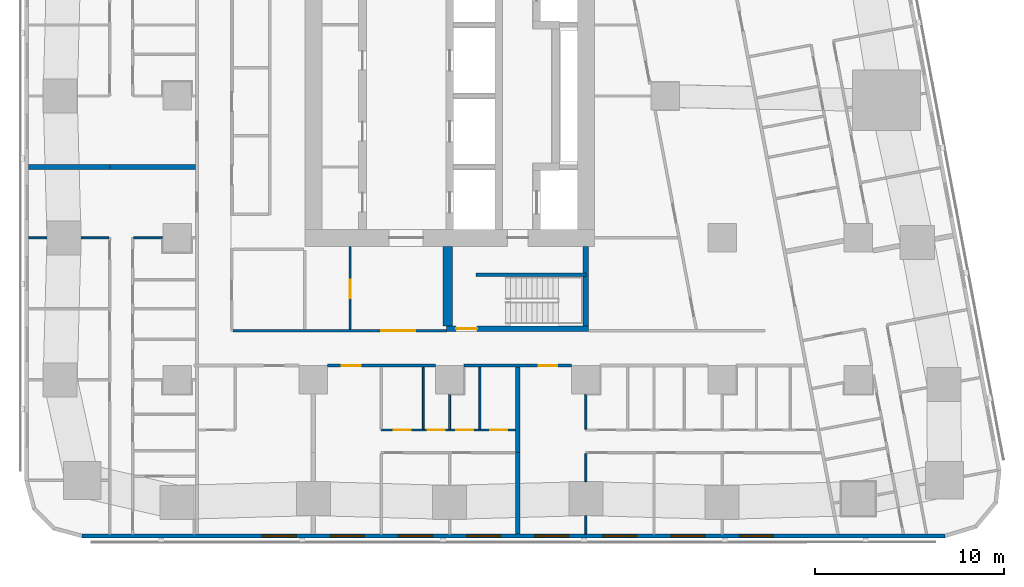
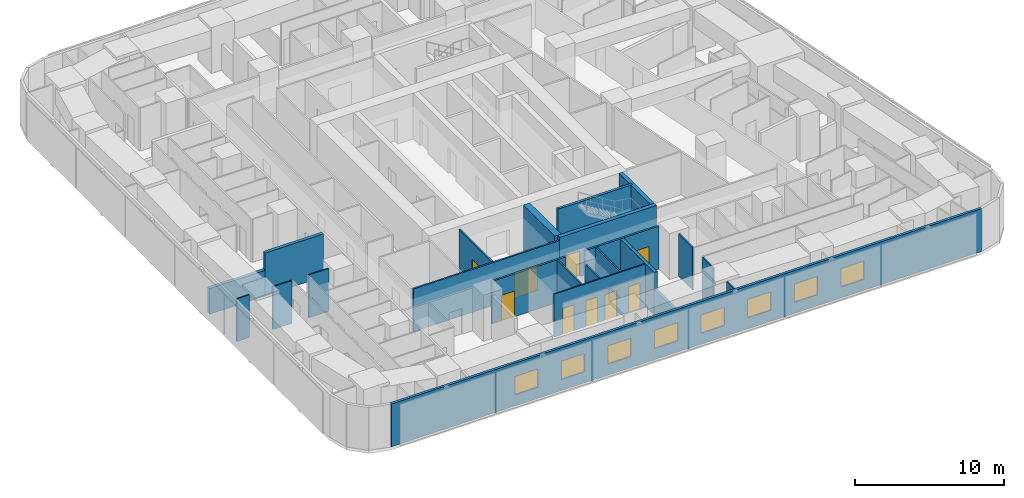
# One storey, part 3 of 15: 23 walls, 9 doors, 8 windows, 17 openings.
"""IFC4 building model written with IfcOpenShell, lengths in metres."""

from ifc_helpers import new_model, si_unit, direction, frame, frame_2d, origin, place, context, subcontext, project, spatial, rectangle, extrude, material, layer, layer_set, type_object, element, fill, save


model = new_model("IFC4")

# Units and contexts
model_context = context("Model", 3, precision=1e-05, world=origin(), true_north=direction((0.0, 1.0)))
body_context = subcontext(model_context, "Body", "Model", "MODEL_VIEW")
ifc_project = project(units=[si_unit("LENGTHUNIT", "METRE"), si_unit("AREAUNIT", "SQUARE_METRE"), si_unit("VOLUMEUNIT", "CUBIC_METRE"), si_unit("PLANEANGLEUNIT", "RADIAN"), si_unit("MASSUNIT", "GRAM", prefix="KILO")], contexts=[model_context])

# Site, building, storey
site_placement = place(None, origin())
site = spatial("IfcSite", under=ifc_project, at=site_placement, CompositionType="ELEMENT")
building_placement = place(site_placement, origin())
building = spatial("IfcBuilding", under=site, at=building_placement, Name="Sheger Commons Tower", CompositionType="ELEMENT")
storey_placement = place(building_placement, frame((0.0, 0.0, 150.800048828125)))
storey = spatial("IfcBuildingStorey", under=building, at=storey_placement, Name="L38", CompositionType="ELEMENT", Elevation=150.800048828125)

# Wall, opening, door
ifc_material_1 = material(Name="Hollow concrete block masonry, skimmed both sides", Category="masonry")
ifc_layer_1 = layer(ifc_material_1, 0.14990234375)
ifc_layer_set_1 = layer_set([ifc_layer_1], Name="CORRIDOR WALL 150")
wall_type_1 = type_object("IfcWallType", Name="CORRIDOR WALL 150", PredefinedType="SOLIDWALL", material=ifc_layer_set_1)
wall_1_placement = place(storey_placement, frame((28.049072265625, 8.25, 0.0), z_axis=(0.0, 0.0, 1.0), x_axis=(-1.0, 0.0, 0.0)))
wall_1 = element("IfcWall", 1, at=wall_1_placement, inside=storey, type_object=wall_type_1, Name="Corridor wall L38", PredefinedType="SOLIDWALL", context=body_context, shape_type="SweptSolid", body=[
    extrude(rectangle(XDim=5.697998046875, YDim=0.14990234375, at=frame_2d((2.84912109375, 0.0))), origin(), (0.0, 0.0, 1.0), 3.5),
])
opening_1_placement = place(wall_1_placement, frame((0.7490234375, 0.0, 0.0)))
opening_1 = element("IfcOpeningElement", 2, at=opening_1_placement, cuts=wall_1, Name="Opening D1", PredefinedType="OPENING", context=body_context, shape_type="SweptSolid", body=[
    extrude(rectangle(XDim=1.0, YDim=2.10009765625, at=frame_2d((0.5, 1.050048828125))), frame((0.0, 0.0849609375, 0.0), z_axis=(0.0, -1.0, 0.0), x_axis=(1.0, 0.0, 0.0)), (0.0, 0.0, 1.0), 0.169921875),
])
ifc_material_2 = material(Name="Steel door set, fire rated", Category="steel")
door_type_1 = type_object("IfcDoorType", Name="FLAT ENTRANCE DOOR 1000x2100", OperationType="NOTDEFINED", PredefinedType="DOOR", material=ifc_material_2)
door_1_placement = place(opening_1_placement, origin())
door_1 = element("IfcDoor", 3, at=door_1_placement, inside=storey, type_object=door_type_1, Name="Flat entrance door", OperationType="SINGLE_SWING_LEFT", OverallHeight=2.10009765625, OverallWidth=1.0, PredefinedType="DOOR", context=body_context, shape_type="SweptSolid", body=[
    extrude(rectangle(XDim=1.0, YDim=2.10009765625, at=frame_2d((0.5, 1.050048828125))), frame((0.0, 0.02490234375, 0.0), z_axis=(0.0, -1.0, 0.0), x_axis=(1.0, 0.0, 0.0)), (0.0, 0.0, 1.0), 0.050048828125),
])
fill(opening_1, door_1)

wall_2_placement = place(storey_placement, frame((20.84912109375, 8.25, 0.0), z_axis=(0.0, 0.0, 1.0), x_axis=(-1.0, 0.0, 0.0)))
wall_2 = element("IfcWall", 4, at=wall_2_placement, inside=storey, type_object=wall_type_1, Name="Corridor wall L38", PredefinedType="SOLIDWALL", context=body_context, shape_type="SweptSolid", body=[
    extrude(rectangle(XDim=5.6982421875, YDim=0.14990234375, at=frame_2d((2.84912109375, 0.0))), origin(), (0.0, 0.0, 1.0), 3.5),
])
opening_2_placement = place(wall_2_placement, frame((3.948974609375, 0.0, 0.0)))
opening_2 = element("IfcOpeningElement", 5, at=opening_2_placement, cuts=wall_2, Name="Opening D1", PredefinedType="OPENING", context=body_context, shape_type="SweptSolid", body=[
    extrude(rectangle(XDim=1.0, YDim=2.10009765625, at=frame_2d((0.5, 1.050048828125))), frame((0.0, 0.0849609375, 0.0), z_axis=(0.0, -1.0, 0.0), x_axis=(1.0, 0.0, 0.0)), (0.0, 0.0, 1.0), 0.169921875),
])
door_2_placement = place(opening_2_placement, origin())
door_2 = element("IfcDoor", 6, at=door_2_placement, inside=storey, type_object=door_type_1, Name="Flat entrance door", OperationType="SINGLE_SWING_RIGHT", OverallHeight=2.10009765625, OverallWidth=1.0, PredefinedType="DOOR", context=body_context, shape_type="SweptSolid", body=[
    extrude(rectangle(XDim=1.0, YDim=2.10009765625, at=frame_2d((0.5, 1.050048828125))), frame((0.0, 0.02490234375, 0.0), z_axis=(0.0, -1.0, 0.0), x_axis=(1.0, 0.0, 0.0)), (0.0, 0.0, 1.0), 0.050048828125),
])
fill(opening_2, door_2)

# Walls
ifc_material_3 = material(Name="Dense concrete block masonry, plastered both sides (separating wall between flats)", Category="masonry")
ifc_layer_2 = layer(ifc_material_3, 0.25)
ifc_layer_set_2 = layer_set([ifc_layer_2], Name="DEMISING WALL 250")
wall_type_2 = type_object("IfcWallType", Name="DEMISING WALL 250", PredefinedType="SOLIDWALL", material=ifc_layer_set_2)
wall_3_placement = place(storey_placement, frame((-0.64990234375, 18.75, 0.0), z_axis=(0.0, 0.0, 1.0), x_axis=(1.0, 0.0, 0.0)))
element("IfcWall", 7, at=wall_3_placement, inside=storey, type_object=wall_type_2, Name="Demising wall L38", PredefinedType="SOLIDWALL", context=body_context, shape_type="SweptSolid", body=[
    extrude(rectangle(XDim=4.2998046875, YDim=0.25, at=frame_2d((2.14990234375, 0.0))), origin(), (0.0, 0.0, 1.0), 2.099853515625),
])
wall_4_placement = place(storey_placement, frame((3.64990234375, 18.75, 0.0), z_axis=(0.0, 0.0, 1.0), x_axis=(1.0, 0.0, 0.0)))
element("IfcWall", 8, at=wall_4_placement, inside=storey, type_object=wall_type_2, Name="Demising wall L38", PredefinedType="SOLIDWALL", context=body_context, shape_type="SweptSolid", body=[
    extrude(rectangle(XDim=4.525146484375, YDim=0.25, at=frame_2d((2.2626953125, 0.0))), origin(), (0.0, 0.0, 1.0), 3.5),
])
wall_5_placement = place(storey_placement, frame((25.199951171875, -0.64990234375, 0.0), z_axis=(0.0, 0.0, 1.0), x_axis=(0.0, 1.0, 0.0)))
element("IfcWall", 9, at=wall_5_placement, inside=storey, type_object=wall_type_2, Name="Demising wall L38", PredefinedType="SOLIDWALL", context=body_context, shape_type="SweptSolid", body=[
    extrude(rectangle(XDim=4.2998046875, YDim=0.25, at=frame_2d((2.14990234375, 0.0))), origin(), (0.0, 0.0, 1.0), 2.099853515625),
])
wall_6_placement = place(storey_placement, frame((25.199951171875, 3.64990234375, 0.0), z_axis=(0.0, 0.0, 1.0), x_axis=(0.0, 1.0, 0.0)))
element("IfcWall", 10, at=wall_6_placement, inside=storey, type_object=wall_type_2, Name="Demising wall L38", PredefinedType="SOLIDWALL", context=body_context, shape_type="SweptSolid", body=[
    extrude(rectangle(XDim=4.525146484375, YDim=0.25, at=frame_2d((2.2626953125, 0.0))), origin(), (0.0, 0.0, 1.0), 3.5),
])

# Wall, openings, windows
ifc_material_4 = material(Name="Rendered concrete block masonry, dark grey", Category="masonry")
ifc_layer_3 = layer(ifc_material_4, 0.199951171875)
ifc_layer_set_3 = layer_set([ifc_layer_3], Name="FACADE WALL 200")
wall_type_3 = type_object("IfcWallType", Name="FACADE WALL 200", PredefinedType="SOLIDWALL", material=ifc_layer_set_3)
wall_7_placement = place(storey_placement, frame((2.1630859375, -0.75, 0.0), z_axis=(0.0, 0.0, 1.0), x_axis=(1.0, 0.0, 0.0)))
wall_7 = element("IfcWall", 11, at=wall_7_placement, inside=storey, type_object=wall_type_3, Name="Facade wall L38", PredefinedType="SOLIDWALL", context=body_context, shape_type="SweptSolid", body=[
    extrude(rectangle(XDim=45.6279296875, YDim=0.199951171875, at=frame_2d((22.81396484375, 0.0))), origin(), (0.0, 0.0, 1.0), 3.5),
])
opening_3_placement = place(wall_7_placement, frame((9.537109375, 0.0, 0.89990234375)))
opening_3 = element("IfcOpeningElement", 12, at=opening_3_placement, cuts=wall_7, Name="Opening W2", PredefinedType="OPENING", context=body_context, shape_type="SweptSolid", body=[
    extrude(rectangle(XDim=1.800048828125, YDim=1.5, at=frame_2d((0.89990234375, 0.75))), frame((0.0, 0.10986328125, 0.0), z_axis=(0.0, -1.0, 0.0), x_axis=(1.0, 0.0, 0.0)), (0.0, 0.0, 1.0), 0.219970703125),
])
opening_4_placement = place(wall_7_placement, frame((13.136962890625, 0.0, 0.89990234375)))
opening_4 = element("IfcOpeningElement", 13, at=opening_4_placement, cuts=wall_7, Name="Opening W2", PredefinedType="OPENING", context=body_context, shape_type="SweptSolid", body=[
    extrude(rectangle(XDim=1.800048828125, YDim=1.5, at=frame_2d((0.89990234375, 0.75))), frame((0.0, 0.10986328125, 0.0), z_axis=(0.0, -1.0, 0.0), x_axis=(1.0, 0.0, 0.0)), (0.0, 0.0, 1.0), 0.219970703125),
])
opening_5_placement = place(wall_7_placement, frame((16.737060546875, 0.0, 0.89990234375)))
opening_5 = element("IfcOpeningElement", 14, at=opening_5_placement, cuts=wall_7, Name="Opening W2", PredefinedType="OPENING", context=body_context, shape_type="SweptSolid", body=[
    extrude(rectangle(XDim=1.800048828125, YDim=1.5, at=frame_2d((0.89990234375, 0.75))), frame((0.0, 0.10986328125, 0.0), z_axis=(0.0, -1.0, 0.0), x_axis=(1.0, 0.0, 0.0)), (0.0, 0.0, 1.0), 0.219970703125),
])
opening_6_placement = place(wall_7_placement, frame((20.3369140625, 0.0, 0.89990234375)))
opening_6 = element("IfcOpeningElement", 15, at=opening_6_placement, cuts=wall_7, Name="Opening W2", PredefinedType="OPENING", context=body_context, shape_type="SweptSolid", body=[
    extrude(rectangle(XDim=1.800048828125, YDim=1.5, at=frame_2d((0.89990234375, 0.75))), frame((0.0, 0.10986328125, 0.0), z_axis=(0.0, -1.0, 0.0), x_axis=(1.0, 0.0, 0.0)), (0.0, 0.0, 1.0), 0.219970703125),
])
opening_7_placement = place(wall_7_placement, frame((23.93701171875, 0.0, 0.89990234375)))
opening_7 = element("IfcOpeningElement", 16, at=opening_7_placement, cuts=wall_7, Name="Opening W2", PredefinedType="OPENING", context=body_context, shape_type="SweptSolid", body=[
    extrude(rectangle(XDim=1.800048828125, YDim=1.5, at=frame_2d((0.89990234375, 0.75))), frame((0.0, 0.10986328125, 0.0), z_axis=(0.0, -1.0, 0.0), x_axis=(1.0, 0.0, 0.0)), (0.0, 0.0, 1.0), 0.219970703125),
])
opening_8_placement = place(wall_7_placement, frame((27.537109375, 0.0, 0.89990234375)))
opening_8 = element("IfcOpeningElement", 17, at=opening_8_placement, cuts=wall_7, Name="Opening W2", PredefinedType="OPENING", context=body_context, shape_type="SweptSolid", body=[
    extrude(rectangle(XDim=1.800048828125, YDim=1.5, at=frame_2d((0.89990234375, 0.75))), frame((0.0, 0.10986328125, 0.0), z_axis=(0.0, -1.0, 0.0), x_axis=(1.0, 0.0, 0.0)), (0.0, 0.0, 1.0), 0.219970703125),
])
opening_9_placement = place(wall_7_placement, frame((31.136962890625, 0.0, 0.89990234375)))
opening_9 = element("IfcOpeningElement", 18, at=opening_9_placement, cuts=wall_7, Name="Opening W2", PredefinedType="OPENING", context=body_context, shape_type="SweptSolid", body=[
    extrude(rectangle(XDim=1.800048828125, YDim=1.5, at=frame_2d((0.89990234375, 0.75))), frame((0.0, 0.10986328125, 0.0), z_axis=(0.0, -1.0, 0.0), x_axis=(1.0, 0.0, 0.0)), (0.0, 0.0, 1.0), 0.219970703125),
])
opening_10_placement = place(wall_7_placement, frame((34.737060546875, 0.0, 0.89990234375)))
opening_10 = element("IfcOpeningElement", 19, at=opening_10_placement, cuts=wall_7, Name="Opening W2", PredefinedType="OPENING", context=body_context, shape_type="SweptSolid", body=[
    extrude(rectangle(XDim=1.800048828125, YDim=1.5, at=frame_2d((0.89990234375, 0.75))), frame((0.0, 0.10986328125, 0.0), z_axis=(0.0, -1.0, 0.0), x_axis=(1.0, 0.0, 0.0)), (0.0, 0.0, 1.0), 0.219970703125),
])
ifc_material_5 = material(Name="Black aluminium frame, dark tinted double glazing", Category="aluminium")
window_type = type_object("IfcWindowType", Name="WINDOW W2 1800x1500", PartitioningType="SINGLE_PANEL", PredefinedType="WINDOW", material=ifc_material_5)
window_1_placement = place(opening_3_placement, origin())
window_1 = element("IfcWindow", 20, at=window_1_placement, inside=storey, type_object=window_type, Name="Window W2 1800X1500", OverallHeight=1.5, OverallWidth=1.800048828125, PartitioningType="SINGLE_PANEL", PredefinedType="WINDOW", context=body_context, shape_type="SweptSolid", body=[
    extrude(rectangle(XDim=1.800048828125, YDim=1.5, at=frame_2d((0.89990234375, 0.75))), frame((0.0, 0.030029296875, 0.0), z_axis=(0.0, -1.0, 0.0), x_axis=(1.0, 0.0, 0.0)), (0.0, 0.0, 1.0), 0.06005859375),
])
fill(opening_3, window_1)
window_2_placement = place(opening_4_placement, origin())
window_2 = element("IfcWindow", 21, at=window_2_placement, inside=storey, type_object=window_type, Name="Window W2 1800X1500", OverallHeight=1.5, OverallWidth=1.800048828125, PartitioningType="SINGLE_PANEL", PredefinedType="WINDOW", context=body_context, shape_type="SweptSolid", body=[
    extrude(rectangle(XDim=1.800048828125, YDim=1.5, at=frame_2d((0.89990234375, 0.75))), frame((0.0, 0.030029296875, 0.0), z_axis=(0.0, -1.0, 0.0), x_axis=(1.0, 0.0, 0.0)), (0.0, 0.0, 1.0), 0.06005859375),
])
fill(opening_4, window_2)
window_3_placement = place(opening_5_placement, origin())
window_3 = element("IfcWindow", 22, at=window_3_placement, inside=storey, type_object=window_type, Name="Window W2 1800X1500", OverallHeight=1.5, OverallWidth=1.800048828125, PartitioningType="SINGLE_PANEL", PredefinedType="WINDOW", context=body_context, shape_type="SweptSolid", body=[
    extrude(rectangle(XDim=1.800048828125, YDim=1.5, at=frame_2d((0.89990234375, 0.75))), frame((0.0, 0.030029296875, 0.0), z_axis=(0.0, -1.0, 0.0), x_axis=(1.0, 0.0, 0.0)), (0.0, 0.0, 1.0), 0.06005859375),
])
fill(opening_5, window_3)
window_4_placement = place(opening_6_placement, origin())
window_4 = element("IfcWindow", 23, at=window_4_placement, inside=storey, type_object=window_type, Name="Window W2 1800X1500", OverallHeight=1.5, OverallWidth=1.800048828125, PartitioningType="SINGLE_PANEL", PredefinedType="WINDOW", context=body_context, shape_type="SweptSolid", body=[
    extrude(rectangle(XDim=1.800048828125, YDim=1.5, at=frame_2d((0.89990234375, 0.75))), frame((0.0, 0.030029296875, 0.0), z_axis=(0.0, -1.0, 0.0), x_axis=(1.0, 0.0, 0.0)), (0.0, 0.0, 1.0), 0.06005859375),
])
fill(opening_6, window_4)
window_5_placement = place(opening_7_placement, origin())
window_5 = element("IfcWindow", 24, at=window_5_placement, inside=storey, type_object=window_type, Name="Window W2 1800X1500", OverallHeight=1.5, OverallWidth=1.800048828125, PartitioningType="SINGLE_PANEL", PredefinedType="WINDOW", context=body_context, shape_type="SweptSolid", body=[
    extrude(rectangle(XDim=1.800048828125, YDim=1.5, at=frame_2d((0.89990234375, 0.75))), frame((0.0, 0.030029296875, 0.0), z_axis=(0.0, -1.0, 0.0), x_axis=(1.0, 0.0, 0.0)), (0.0, 0.0, 1.0), 0.06005859375),
])
fill(opening_7, window_5)
window_6_placement = place(opening_8_placement, origin())
window_6 = element("IfcWindow", 25, at=window_6_placement, inside=storey, type_object=window_type, Name="Window W2 1800X1500", OverallHeight=1.5, OverallWidth=1.800048828125, PartitioningType="SINGLE_PANEL", PredefinedType="WINDOW", context=body_context, shape_type="SweptSolid", body=[
    extrude(rectangle(XDim=1.800048828125, YDim=1.5, at=frame_2d((0.89990234375, 0.75))), frame((0.0, 0.030029296875, 0.0), z_axis=(0.0, -1.0, 0.0), x_axis=(1.0, 0.0, 0.0)), (0.0, 0.0, 1.0), 0.06005859375),
])
fill(opening_8, window_6)
window_7_placement = place(opening_9_placement, origin())
window_7 = element("IfcWindow", 26, at=window_7_placement, inside=storey, type_object=window_type, Name="Window W2 1800X1500", OverallHeight=1.5, OverallWidth=1.800048828125, PartitioningType="SINGLE_PANEL", PredefinedType="WINDOW", context=body_context, shape_type="SweptSolid", body=[
    extrude(rectangle(XDim=1.800048828125, YDim=1.5, at=frame_2d((0.89990234375, 0.75))), frame((0.0, 0.030029296875, 0.0), z_axis=(0.0, -1.0, 0.0), x_axis=(1.0, 0.0, 0.0)), (0.0, 0.0, 1.0), 0.06005859375),
])
fill(opening_9, window_7)
window_8_placement = place(opening_10_placement, origin())
window_8 = element("IfcWindow", 27, at=window_8_placement, inside=storey, type_object=window_type, Name="Window W2 1800X1500", OverallHeight=1.5, OverallWidth=1.800048828125, PartitioningType="SINGLE_PANEL", PredefinedType="WINDOW", context=body_context, shape_type="SweptSolid", body=[
    extrude(rectangle(XDim=1.800048828125, YDim=1.5, at=frame_2d((0.89990234375, 0.75))), frame((0.0, 0.030029296875, 0.0), z_axis=(0.0, -1.0, 0.0), x_axis=(1.0, 0.0, 0.0)), (0.0, 0.0, 1.0), 0.06005859375),
])
fill(opening_10, window_8)

# Walls
ifc_material_6 = material(Name="Gypsum board on steel studs", Category="steel")
ifc_layer_4 = layer(ifc_material_6, 0.10009765625)
ifc_layer_set_4 = layer_set([ifc_layer_4], Name="PARTITION 100")
wall_type_4 = type_object("IfcWallType", Name="PARTITION 100", PredefinedType="PARTITIONING", material=ifc_layer_set_4)
wall_8_placement = place(storey_placement, frame((-0.64990234375, 15.0, 0.0), z_axis=(0.0, 0.0, 1.0), x_axis=(1.0, 0.0, 0.0)))
element("IfcWall", 28, at=wall_8_placement, inside=storey, type_object=wall_type_4, Name="Partition L38", PredefinedType="PARTITIONING", context=body_context, shape_type="SweptSolid", body=[
    extrude(rectangle(XDim=0.973876953125, YDim=0.10009765625, at=frame_2d((0.48681640625, 0.0))), origin(), (0.0, 0.0, 1.0), 3.5),
])
wall_9_placement = place(storey_placement, frame((2.1259765625, 15.0, 0.0), z_axis=(0.0, 0.0, 1.0), x_axis=(1.0, 0.0, 0.0)))
element("IfcWall", 29, at=wall_9_placement, inside=storey, type_object=wall_type_4, Name="Partition L38", PredefinedType="PARTITIONING", context=body_context, shape_type="SweptSolid", body=[
    extrude(rectangle(XDim=1.47412109375, YDim=0.10009765625, at=frame_2d((0.737060546875, 0.0))), origin(), (0.0, 0.0, 1.0), 3.5),
])
wall_10_placement = place(storey_placement, frame((4.89990234375, 15.0, 0.0), z_axis=(0.0, 0.0, 1.0), x_axis=(1.0, 0.0, 0.0)))
element("IfcWall", 30, at=wall_10_placement, inside=storey, type_object=wall_type_4, Name="Partition L38", PredefinedType="PARTITIONING", context=body_context, shape_type="SweptSolid", body=[
    extrude(rectangle(XDim=1.549072265625, YDim=0.10009765625, at=frame_2d((0.7744140625, 0.0))), origin(), (0.0, 0.0, 1.0), 3.5),
])

# Wall, openings, doors
wall_11_placement = place(storey_placement, frame((25.074951171875, 4.85009765625, 0.0), z_axis=(0.0, 0.0, 1.0), x_axis=(-1.0, 0.0, 0.0)))
wall_11 = element("IfcWall", 31, at=wall_11_placement, inside=storey, type_object=wall_type_4, Name="Partition L38", PredefinedType="PARTITIONING", context=body_context, shape_type="SweptSolid", body=[
    extrude(rectangle(XDim=7.074951171875, YDim=0.10009765625, at=frame_2d((3.53759765625, 0.0))), origin(), (0.0, 0.0, 1.0), 3.5),
])
opening_11_placement = place(wall_11_placement, frame((5.52001953125, 0.0, 0.0)))
opening_11 = element("IfcOpeningElement", 32, at=opening_11_placement, cuts=wall_11, Name="Opening D2", PredefinedType="OPENING", context=body_context, shape_type="SweptSolid", body=[
    extrude(rectangle(XDim=0.89990234375, YDim=2.10009765625, at=frame_2d((0.449951171875, 1.050048828125))), frame((0.0, 0.06005859375, 0.0), z_axis=(0.0, -1.0, 0.0), x_axis=(1.0, 0.0, 0.0)), (0.0, 0.0, 1.0), 0.1201171875),
])
opening_12_placement = place(wall_11_placement, frame((2.22509765625, 0.0, 0.0)))
opening_12 = element("IfcOpeningElement", 33, at=opening_12_placement, cuts=wall_11, Name="Opening D2", PredefinedType="OPENING", context=body_context, shape_type="SweptSolid", body=[
    extrude(rectangle(XDim=0.89990234375, YDim=2.10009765625, at=frame_2d((0.449951171875, 1.050048828125))), frame((0.0, 0.06005859375, 0.0), z_axis=(0.0, -1.0, 0.0), x_axis=(1.0, 0.0, 0.0)), (0.0, 0.0, 1.0), 0.1201171875),
])
opening_13_placement = place(wall_11_placement, frame((3.719970703125, 0.0, 0.0)))
opening_13 = element("IfcOpeningElement", 34, at=opening_13_placement, cuts=wall_11, Name="Opening D2", PredefinedType="OPENING", context=body_context, shape_type="SweptSolid", body=[
    extrude(rectangle(XDim=0.89990234375, YDim=2.10009765625, at=frame_2d((0.449951171875, 1.050048828125))), frame((0.0, 0.06005859375, 0.0), z_axis=(0.0, -1.0, 0.0), x_axis=(1.0, 0.0, 0.0)), (0.0, 0.0, 1.0), 0.1201171875),
])
opening_14_placement = place(wall_11_placement, frame((0.425048828125, 0.0, 0.0)))
opening_14 = element("IfcOpeningElement", 35, at=opening_14_placement, cuts=wall_11, Name="Opening D2", PredefinedType="OPENING", context=body_context, shape_type="SweptSolid", body=[
    extrude(rectangle(XDim=0.89990234375, YDim=2.10009765625, at=frame_2d((0.449951171875, 1.050048828125))), frame((0.0, 0.06005859375, 0.0), z_axis=(0.0, -1.0, 0.0), x_axis=(1.0, 0.0, 0.0)), (0.0, 0.0, 1.0), 0.1201171875),
])
ifc_material_7 = material(Name="Timber door set", Category="wood")
door_type_2 = type_object("IfcDoorType", Name="INTERNAL DOOR 900x2100", OperationType="NOTDEFINED", PredefinedType="DOOR", material=ifc_material_7)
door_3_placement = place(opening_11_placement, origin())
door_3 = element("IfcDoor", 36, at=door_3_placement, inside=storey, type_object=door_type_2, Name="Bathroom door", OperationType="SINGLE_SWING_LEFT", OverallHeight=2.10009765625, OverallWidth=0.89990234375, PredefinedType="DOOR", context=body_context, shape_type="SweptSolid", body=[
    extrude(rectangle(XDim=0.89990234375, YDim=2.10009765625, at=frame_2d((0.449951171875, 1.050048828125))), frame((0.0, 0.02490234375, 0.0), z_axis=(0.0, -1.0, 0.0), x_axis=(1.0, 0.0, 0.0)), (0.0, 0.0, 1.0), 0.050048828125),
])
fill(opening_11, door_3)
door_4_placement = place(opening_12_placement, origin())
door_4 = element("IfcDoor", 37, at=door_4_placement, inside=storey, type_object=door_type_2, Name="Shower room door", OperationType="SINGLE_SWING_RIGHT", OverallHeight=2.10009765625, OverallWidth=0.89990234375, PredefinedType="DOOR", context=body_context, shape_type="SweptSolid", body=[
    extrude(rectangle(XDim=0.89990234375, YDim=2.10009765625, at=frame_2d((0.449951171875, 1.050048828125))), frame((0.0, 0.02490234375, 0.0), z_axis=(0.0, -1.0, 0.0), x_axis=(1.0, 0.0, 0.0)), (0.0, 0.0, 1.0), 0.050048828125),
])
fill(opening_12, door_4)
door_5_placement = place(opening_13_placement, origin())
door_5 = element("IfcDoor", 38, at=door_5_placement, inside=storey, type_object=door_type_2, Name="Store door", OperationType="SINGLE_SWING_RIGHT", OverallHeight=2.10009765625, OverallWidth=0.89990234375, PredefinedType="DOOR", context=body_context, shape_type="SweptSolid", body=[
    extrude(rectangle(XDim=0.89990234375, YDim=2.10009765625, at=frame_2d((0.449951171875, 1.050048828125))), frame((0.0, 0.02490234375, 0.0), z_axis=(0.0, -1.0, 0.0), x_axis=(1.0, 0.0, 0.0)), (0.0, 0.0, 1.0), 0.050048828125),
])
fill(opening_13, door_5)
door_6_placement = place(opening_14_placement, origin())
door_6 = element("IfcDoor", 39, at=door_6_placement, inside=storey, type_object=door_type_2, Name="Store door", OperationType="SINGLE_SWING_RIGHT", OverallHeight=2.10009765625, OverallWidth=0.89990234375, PredefinedType="DOOR", context=body_context, shape_type="SweptSolid", body=[
    extrude(rectangle(XDim=0.89990234375, YDim=2.10009765625, at=frame_2d((0.449951171875, 1.050048828125))), frame((0.0, 0.02490234375, 0.0), z_axis=(0.0, -1.0, 0.0), x_axis=(1.0, 0.0, 0.0)), (0.0, 0.0, 1.0), 0.050048828125),
])
fill(opening_14, door_6)

# Walls
wall_12_placement = place(storey_placement, frame((21.60009765625, 4.89990234375, 0.0), z_axis=(0.0, 0.0, 1.0), x_axis=(0.0, 1.0, 0.0)))
element("IfcWall", 40, at=wall_12_placement, inside=storey, type_object=wall_type_4, Name="Partition L38", PredefinedType="PARTITIONING", context=body_context, shape_type="SweptSolid", body=[
    extrude(rectangle(XDim=1.84912109375, YDim=0.10009765625, at=frame_2d((0.924560546875, 0.0))), origin(), (0.0, 0.0, 1.0), 3.5),
])
for number, where, z_axis, x_axis, name in (
    (41, (20.2099609375, 4.89990234375, 0.0), (0.0, 0.0, 1.0), (0.0, 1.0, 0.0), "Partition L38"),
    (42, (23.199951171875, 4.89990234375, 0.0), (0.0, 0.0, 1.0), (0.0, 1.0, 0.0), "Partition L38"),
):
    element("IfcWall", number, at=place(storey_placement, frame(where, z_axis=z_axis, x_axis=x_axis)), inside=storey, type_object=wall_type_4, Name=name, PredefinedType="PARTITIONING", context=body_context, shape_type="SweptSolid", body=[
        extrude(rectangle(XDim=3.275146484375, YDim=0.10009765625, at=frame_2d((1.6376953125, 0.0))), origin(), (0.0, 0.0, 1.0), 3.5),
    ])
wall_13_placement = place(storey_placement, frame((28.800048828125, -0.64990234375, 0.0), z_axis=(0.0, 0.0, 1.0), x_axis=(0.0, 1.0, 0.0)))
element("IfcWall", 43, at=wall_13_placement, inside=storey, type_object=wall_type_4, Name="Partition L38", PredefinedType="PARTITIONING", context=body_context, shape_type="SweptSolid", body=[
    extrude(rectangle(XDim=0.973876953125, YDim=0.10009765625, at=frame_2d((0.48681640625, 0.0))), origin(), (0.0, 0.0, 1.0), 3.5),
])
wall_14_placement = place(storey_placement, frame((28.800048828125, 2.1259765625, 0.0), z_axis=(0.0, 0.0, 1.0), x_axis=(0.0, 1.0, 0.0)))
element("IfcWall", 44, at=wall_14_placement, inside=storey, type_object=wall_type_4, Name="Partition L38", PredefinedType="PARTITIONING", context=body_context, shape_type="SweptSolid", body=[
    extrude(rectangle(XDim=1.47412109375, YDim=0.10009765625, at=frame_2d((0.737060546875, 0.0))), origin(), (0.0, 0.0, 1.0), 3.5),
])
wall_15_placement = place(storey_placement, frame((28.800048828125, 4.89990234375, 0.0), z_axis=(0.0, 0.0, 1.0), x_axis=(0.0, 1.0, 0.0)))
element("IfcWall", 45, at=wall_15_placement, inside=storey, type_object=wall_type_4, Name="Partition L38", PredefinedType="PARTITIONING", context=body_context, shape_type="SweptSolid", body=[
    extrude(rectangle(XDim=1.84912109375, YDim=0.10009765625, at=frame_2d((0.924560546875, 0.0))), origin(), (0.0, 0.0, 1.0), 3.5),
])

# Wall, opening, door
ifc_material_8 = material(Name="Gypsum board on steel studs, two layers each side, fire rated", Category="steel")
ifc_layer_5 = layer(ifc_material_8, 0.125)
ifc_layer_set_5 = layer_set([ifc_layer_5], Name="SERVICE WALL 125")
wall_type_5 = type_object("IfcWallType", Name="SERVICE WALL 125", PredefinedType="PARTITIONING", material=ifc_layer_set_5)
wall_16_placement = place(storey_placement, frame((10.162109375, 10.10009765625, 0.0), z_axis=(0.0, 0.0, 1.0), x_axis=(1.0, 0.0, 0.0)))
wall_16 = element("IfcWall", 46, at=wall_16_placement, inside=storey, type_object=wall_type_5, Name="Service room wall L38", PredefinedType="PARTITIONING", context=body_context, shape_type="SweptSolid", body=[
    extrude(rectangle(XDim=11.287841796875, YDim=0.125, at=frame_2d((5.64404296875, 0.0))), origin(), (0.0, 0.0, 1.0), 3.5),
])
opening_15_placement = place(wall_16_placement, frame((7.8330078125, 0.0, 0.0)))
opening_15 = element("IfcOpeningElement", 47, at=opening_15_placement, cuts=wall_16, Name="Opening D6", PredefinedType="OPENING", context=body_context, shape_type="SweptSolid", body=[
    extrude(rectangle(XDim=1.800048828125, YDim=2.10009765625, at=frame_2d((0.89990234375, 1.050048828125))), frame((0.0, 0.072509765625, 0.0), z_axis=(0.0, -1.0, 0.0), x_axis=(1.0, 0.0, 0.0)), (0.0, 0.0, 1.0), 0.14501953125),
])
ifc_material_9 = material(Name="Steel door set, fire rated", Category="steel")
door_type_3 = type_object("IfcDoorType", Name="LOBBY DOUBLE DOOR 1800x2100", OperationType="DOUBLE_DOOR_SINGLE_SWING", PredefinedType="DOOR", material=ifc_material_9)
door_7_placement = place(opening_15_placement, origin())
door_7 = element("IfcDoor", 48, at=door_7_placement, inside=storey, type_object=door_type_3, Name="Lift lobby south door", OperationType="DOUBLE_DOOR_SINGLE_SWING", OverallHeight=2.10009765625, OverallWidth=1.800048828125, PredefinedType="DOOR", context=body_context, shape_type="SweptSolid", body=[
    extrude(rectangle(XDim=1.800048828125, YDim=2.10009765625, at=frame_2d((0.89990234375, 1.050048828125))), frame((0.0, 0.02490234375, 0.0), z_axis=(0.0, -1.0, 0.0), x_axis=(1.0, 0.0, 0.0)), (0.0, 0.0, 1.0), 0.050048828125),
])
fill(opening_15, door_7)

wall_17_placement = place(storey_placement, frame((16.340087890625, 10.1630859375, 0.0), z_axis=(0.0, 0.0, 1.0), x_axis=(0.0, 1.0, 0.0)))
wall_17 = element("IfcWall", 49, at=wall_17_placement, inside=storey, type_object=wall_type_5, Name="Service room wall L38", PredefinedType="PARTITIONING", context=body_context, shape_type="SweptSolid", body=[
    extrude(rectangle(XDim=4.386962890625, YDim=0.125, at=frame_2d((2.193359375, 0.0))), origin(), (0.0, 0.0, 1.0), 3.5),
])
opening_16_placement = place(wall_17_placement, frame((1.636962890625, 0.0, 0.0)))
opening_16 = element("IfcOpeningElement", 50, at=opening_16_placement, cuts=wall_17, Name="Opening D4", PredefinedType="OPENING", context=body_context, shape_type="SweptSolid", body=[
    extrude(rectangle(XDim=1.0, YDim=2.10009765625, at=frame_2d((0.5, 1.050048828125))), frame((0.0, 0.072509765625, 0.0), z_axis=(0.0, -1.0, 0.0), x_axis=(1.0, 0.0, 0.0)), (0.0, 0.0, 1.0), 0.14501953125),
])
ifc_material_10 = material(Name="Steel door set, fire rated", Category="steel")
door_type_4 = type_object("IfcDoorType", Name="SERVICE DOOR 1000x2100", OperationType="NOTDEFINED", PredefinedType="DOOR", material=ifc_material_10)
door_8_placement = place(opening_16_placement, origin())
door_8 = element("IfcDoor", 51, at=door_8_placement, inside=storey, type_object=door_type_4, Name="Electrical room door", OperationType="SINGLE_SWING_LEFT", OverallHeight=2.10009765625, OverallWidth=1.0, PredefinedType="DOOR", context=body_context, shape_type="SweptSolid", body=[
    extrude(rectangle(XDim=1.0, YDim=2.10009765625, at=frame_2d((0.5, 1.050048828125))), frame((0.0, 0.02490234375, 0.0), z_axis=(0.0, -1.0, 0.0), x_axis=(1.0, 0.0, 0.0)), (0.0, 0.0, 1.0), 0.050048828125),
])
fill(opening_16, door_8)

ifc_material_11 = material(Name="Concrete C50/60", Category="concrete")
ifc_layer_6 = layer(ifc_material_11, 0.300048828125)
ifc_layer_set_6 = layer_set([ifc_layer_6], Name="STAIR CORE WALL 300")
wall_type_6 = type_object("IfcWallType", Name="STAIR CORE WALL 300", PredefinedType="SHEAR", material=ifc_layer_set_6)
wall_18_placement = place(storey_placement, frame((21.449951171875, 10.199951171875, 0.0), z_axis=(0.0, 0.0, 1.0), x_axis=(1.0, 0.0, 0.0)))
wall_18 = element("IfcWall", 52, at=wall_18_placement, inside=storey, type_object=wall_type_6, Name="STW-L38-S1S", PredefinedType="SHEAR", context=body_context, shape_type="SweptSolid", body=[
    extrude(rectangle(XDim=7.5, YDim=0.300048828125, at=frame_2d((3.75, 0.0))), origin(), (0.0, 0.0, 1.0), 3.75),
])
opening_17_placement = place(wall_18_placement, frame((0.5, 0.0, 0.0)))
opening_17 = element("IfcOpeningElement", 53, at=opening_17_placement, cuts=wall_18, Name="Opening D5", PredefinedType="OPENING", context=body_context, shape_type="SweptSolid", body=[
    extrude(rectangle(XDim=1.10009765625, YDim=2.10009765625, at=frame_2d((0.550048828125, 1.050048828125))), frame((0.0, 0.159912109375, 0.0), z_axis=(0.0, -1.0, 0.0), x_axis=(1.0, 0.0, 0.0)), (0.0, 0.0, 1.0), 0.320068359375),
])
ifc_material_12 = material(Name="Steel door set, fire rated", Category="steel")
door_type_5 = type_object("IfcDoorType", Name="STAIR DOOR 1100x2100", OperationType="NOTDEFINED", PredefinedType="DOOR", material=ifc_material_12)
door_9_placement = place(opening_17_placement, origin())
door_9 = element("IfcDoor", 54, at=door_9_placement, inside=storey, type_object=door_type_5, Name="Stair S1 door", OperationType="SINGLE_SWING_LEFT", OverallHeight=2.10009765625, OverallWidth=1.10009765625, PredefinedType="DOOR", context=body_context, shape_type="SweptSolid", body=[
    extrude(rectangle(XDim=1.10009765625, YDim=2.10009765625, at=frame_2d((0.550048828125, 1.050048828125))), frame((0.0, 0.02490234375, 0.0), z_axis=(0.0, -1.0, 0.0), x_axis=(1.0, 0.0, 0.0)), (0.0, 0.0, 1.0), 0.050048828125),
])
fill(opening_17, door_9)

# Walls
wall_19_placement = place(storey_placement, frame((28.800048828125, 10.35009765625, 0.0), z_axis=(0.0, 0.0, 1.0), x_axis=(0.0, 1.0, 0.0)))
element("IfcWall", 55, at=wall_19_placement, inside=storey, type_object=wall_type_6, Name="STW-L38-S1E", PredefinedType="SHEAR", context=body_context, shape_type="SweptSolid", body=[
    extrude(rectangle(XDim=4.199951171875, YDim=0.300048828125, at=frame_2d((2.10009765625, 0.0))), origin(), (0.0, 0.0, 1.0), 3.75),
])
ifc_material_13 = material(Name="Concrete C50/60", Category="concrete")
ifc_layer_7 = layer(ifc_material_13, 0.5)
ifc_layer_set_7 = layer_set([ifc_layer_7], Name="STAIR CORE WALL 500")
wall_type_7 = type_object("IfcWallType", Name="STAIR CORE WALL 500", PredefinedType="SHEAR", material=ifc_layer_set_7)
wall_20_placement = place(storey_placement, frame((21.5, 10.35009765625, 0.0), z_axis=(0.0, 0.0, 1.0), x_axis=(0.0, 1.0, 0.0)))
element("IfcWall", 56, at=wall_20_placement, inside=storey, type_object=wall_type_7, Name="STW-L38-S1W", PredefinedType="SHEAR", context=body_context, shape_type="SweptSolid", body=[
    extrude(rectangle(XDim=4.199951171875, YDim=0.5, at=frame_2d((2.10009765625, 0.0))), origin(), (0.0, 0.0, 1.0), 3.75),
])
ifc_material_14 = material(Name="Concrete C50/60", Category="concrete")
ifc_layer_8 = layer(ifc_material_14, 0.199951171875)
ifc_layer_set_8 = layer_set([ifc_layer_8], Name="STAIR SPINE WALL 200")
wall_type_8 = type_object("IfcWallType", Name="STAIR SPINE WALL 200", PredefinedType="SHEAR", material=ifc_layer_set_8)
wall_21_placement = place(storey_placement, frame((23.0, 13.050048828125, 0.0), z_axis=(0.0, 0.0, 1.0), x_axis=(1.0, 0.0, 0.0)))
element("IfcWall", 57, at=wall_21_placement, inside=storey, type_object=wall_type_8, Name="Stair spine wall L38", PredefinedType="SHEAR", context=body_context, shape_type="SweptSolid", body=[
    extrude(rectangle(XDim=5.800048828125, YDim=0.199951171875, at=frame_2d((2.89990234375, 0.0))), origin(), (0.0, 0.0, 1.0), 3.75),
])

save(model, "model.ifc")
